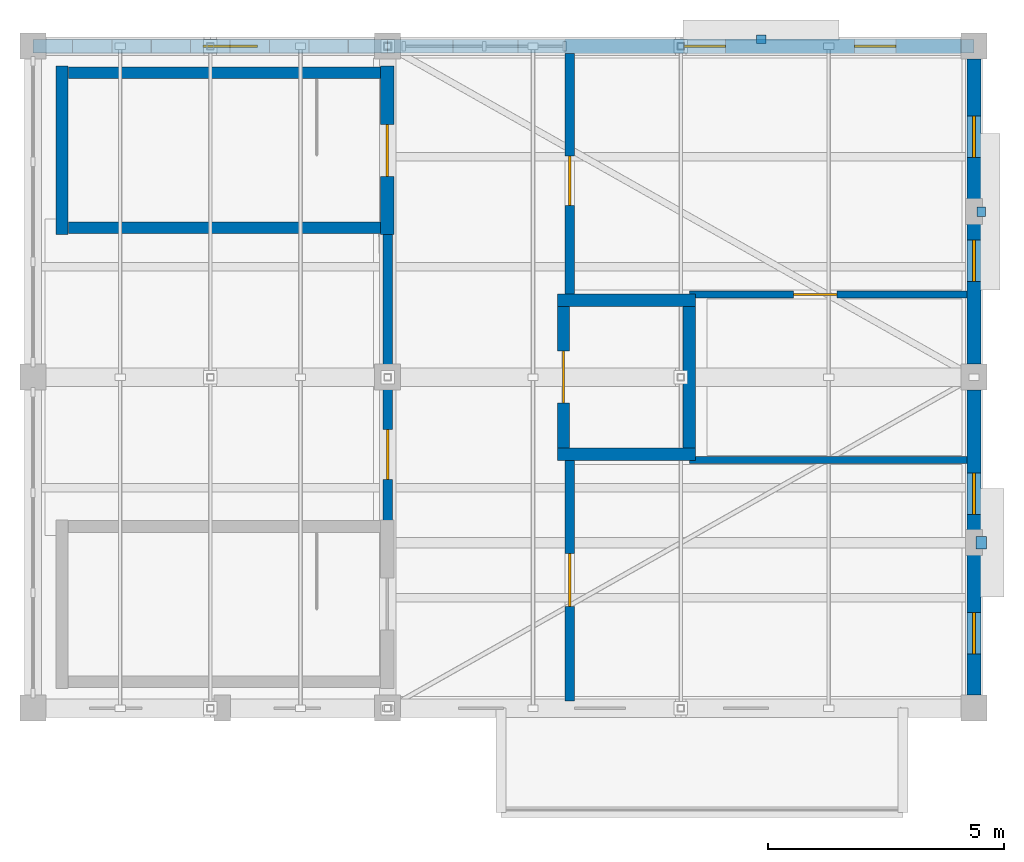
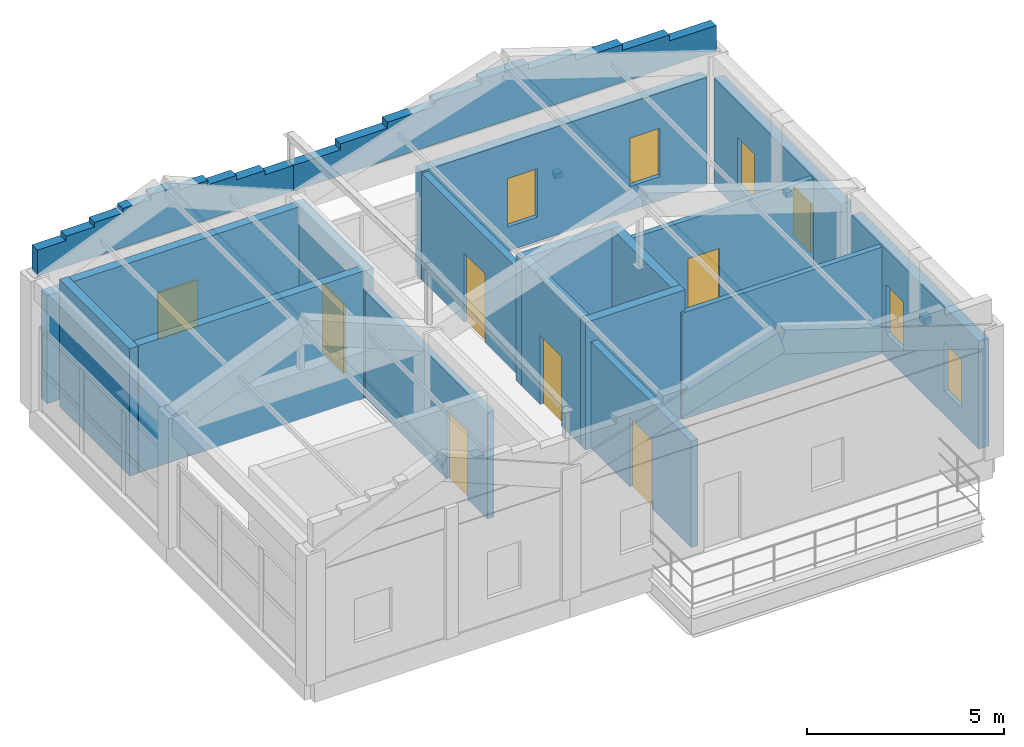
# One storey, part 7 of 8: 19 walls, 7 windows, 6 doors, 3 discrete accessories, 13 openings.
"""IFC4 building model written with IfcOpenShell, lengths in metres."""

from ifc_helpers import new_model, si_unit, direction, frame, frame_2d, origin, origin_2d, place, context, subcontext, project, spatial, polyline, rectangle, outline, extrude, material, layer, layer_set, type_object, element, fill, save


model = new_model("IFC4")

# Units and contexts
model_context = context("Model", 3, precision=1e-05, world=origin(), true_north=direction((0.0, 1.0)))
body_context = subcontext(model_context, "Body", "Model", "MODEL_VIEW")
ifc_project = project(units=[si_unit("LENGTHUNIT", "METRE"), si_unit("AREAUNIT", "SQUARE_METRE"), si_unit("VOLUMEUNIT", "CUBIC_METRE"), si_unit("PLANEANGLEUNIT", "RADIAN"), si_unit("MASSUNIT", "GRAM", prefix="KILO")], contexts=[model_context])

# Site, building, storey
site_placement = place(None, origin())
site = spatial("IfcSite", under=ifc_project, at=site_placement, CompositionType="ELEMENT")
building_placement = place(site_placement, origin())
building = spatial("IfcBuilding", under=site, at=building_placement, Name="Trellovar Central Fire Station", CompositionType="ELEMENT")
storey_placement = place(building_placement, frame((0.0, 0.0, 22.050048828125)))
storey = spatial("IfcBuildingStorey", under=building, at=storey_placement, Name="L06", CompositionType="ELEMENT", Elevation=22.050048828125)

# Wall, openings, windows
ifc_material_1 = material(Name="Glazed ceramic trencadis and terracotta panel", Category="masonry")
ifc_layer_1 = layer(ifc_material_1, 0.300048828125)
ifc_layer_set_1 = layer_set([ifc_layer_1], Name="Glazed ceramic trencadis and terracotta panel")
wall_type_1 = type_object("IfcWallType", Name="EW-4", PredefinedType="STANDARD", material=ifc_layer_set_1)
wall_1_placement = place(storey_placement, frame((160.72509765625, 73.0, 0.0), z_axis=(0.0, 0.0, 1.0), x_axis=(-1.0, 0.0, 0.0)))
wall_1 = element("IfcWall", 1, at=wall_1_placement, inside=storey, type_object=wall_type_1, Name="V2 L06 north hose shaft wall", PredefinedType="STANDARD", context=body_context, shape_type="SweptSolid", body=[
    extrude(rectangle(XDim=8.375, YDim=0.300048828125, at=frame_2d((4.1875, 0.0))), origin(), (0.0, 0.0, 1.0), 3.349853515625),
])
opening_1_placement = place(wall_1_placement, frame((1.375, 0.0, 0.75)))
opening_1 = element("IfcOpeningElement", 2, at=opening_1_placement, cuts=wall_1, Name="Opening W-07", PredefinedType="OPENING", context=body_context, shape_type="SweptSolid", body=[
    extrude(rectangle(XDim=0.8798828125, YDim=1.5, at=frame_2d((0.43994140625, 0.75))), frame((0.0, 0.159912109375, 0.0), z_axis=(0.0, -1.0, 0.0), x_axis=(1.0, 0.0, 0.0)), (0.0, 0.0, 1.0), 0.320068359375),
])
opening_2_placement = place(wall_1_placement, frame((4.97509765625, 0.0, 0.75)))
opening_2 = element("IfcOpeningElement", 3, at=opening_2_placement, cuts=wall_1, Name="Opening W-07", PredefinedType="OPENING", context=body_context, shape_type="SweptSolid", body=[
    extrude(rectangle(XDim=0.8798828125, YDim=1.5, at=frame_2d((0.43994140625, 0.75))), frame((0.0, 0.159912109375, 0.0), z_axis=(0.0, -1.0, 0.0), x_axis=(1.0, 0.0, 0.0)), (0.0, 0.0, 1.0), 0.320068359375),
])
ifc_material_2 = material(Name="Thermally broken bronze anodized aluminum", Category="aluminium")
window_type_1 = type_object("IfcWindowType", Name="WIN-07", PartitioningType="SINGLE_PANEL", PredefinedType="WINDOW", material=ifc_material_2)
window_1_placement = place(opening_1_placement, origin())
window_1 = element("IfcWindow", 4, at=window_1_placement, inside=storey, type_object=window_type_1, Name="V2 L06 hose drying ventilation lancet A", OverallHeight=1.5, OverallWidth=0.8798828125, PartitioningType="SINGLE_PANEL", PredefinedType="WINDOW", context=body_context, shape_type="SweptSolid", body=[
    extrude(rectangle(XDim=0.8798828125, YDim=1.5, at=frame_2d((0.43994140625, 0.75))), frame((0.0, 0.030029296875, 0.0), z_axis=(0.0, -1.0, 0.0), x_axis=(1.0, 0.0, 0.0)), (0.0, 0.0, 1.0), 0.06005859375),
])
fill(opening_1, window_1)
window_2_placement = place(opening_2_placement, origin())
window_2 = element("IfcWindow", 5, at=window_2_placement, inside=storey, type_object=window_type_1, Name="V2 L06 hose drying ventilation lancet B", OverallHeight=1.5, OverallWidth=0.8798828125, PartitioningType="SINGLE_PANEL", PredefinedType="WINDOW", context=body_context, shape_type="SweptSolid", body=[
    extrude(rectangle(XDim=0.8798828125, YDim=1.5, at=frame_2d((0.43994140625, 0.75))), frame((0.0, 0.030029296875, 0.0), z_axis=(0.0, -1.0, 0.0), x_axis=(1.0, 0.0, 0.0)), (0.0, 0.0, 1.0), 0.06005859375),
])
fill(opening_2, window_2)

# Wall, opening, window
wall_2_placement = place(storey_placement, frame((148.324951171875, 73.0, 0.0), z_axis=(0.0, 0.0, 1.0), x_axis=(-1.0, 0.0, 0.0)))
wall_2 = element("IfcWall", 6, at=wall_2_placement, inside=storey, type_object=wall_type_1, Name="V2 L06 north stair bay wall", PredefinedType="STANDARD", context=body_context, shape_type="SweptSolid", body=[
    extrude(rectangle(XDim=6.949951171875, YDim=0.300048828125, at=frame_2d((3.47509765625, 0.0))), origin(), (0.0, 0.0, 1.0), 3.349853515625),
])
opening_3_placement = place(wall_2_placement, frame((2.47509765625, 0.0, 0.75)))
opening_3 = element("IfcOpeningElement", 7, at=opening_3_placement, cuts=wall_2, Name="Opening W-01", PredefinedType="OPENING", context=body_context, shape_type="SweptSolid", body=[
    extrude(rectangle(XDim=1.14990234375, YDim=1.449951171875, at=frame_2d((0.574951171875, 0.72509765625))), frame((0.0, 0.159912109375, 0.0), z_axis=(0.0, -1.0, 0.0), x_axis=(1.0, 0.0, 0.0)), (0.0, 0.0, 1.0), 0.320068359375),
])
ifc_material_3 = material(Name="Thermally broken bronze anodized aluminum", Category="aluminium")
window_type_2 = type_object("IfcWindowType", Name="WIN-01", PartitioningType="SINGLE_PANEL", PredefinedType="WINDOW", material=ifc_material_3)
window_3_placement = place(opening_3_placement, origin())
window_3 = element("IfcWindow", 8, at=window_3_placement, inside=storey, type_object=window_type_2, Name="L06 window W-01", OverallHeight=1.449951171875, OverallWidth=1.14990234375, PartitioningType="SINGLE_PANEL", PredefinedType="WINDOW", context=body_context, shape_type="SweptSolid", body=[
    extrude(rectangle(XDim=1.14990234375, YDim=1.449951171875, at=frame_2d((0.574951171875, 0.72509765625))), frame((0.0, 0.030029296875, 0.0), z_axis=(0.0, -1.0, 0.0), x_axis=(1.0, 0.0, 0.0)), (0.0, 0.0, 1.0), 0.06005859375),
])
fill(opening_3, window_3)

# Wall, openings, windows
wall_3_placement = place(storey_placement, frame((161.0, 59.27490234375, 0.0), z_axis=(0.0, 0.0, 1.0), x_axis=(0.0, 1.0, 0.0)))
wall_3 = element("IfcWall", 9, at=wall_3_placement, inside=storey, type_object=wall_type_1, Name="V2 L06 east avenue wall", PredefinedType="STANDARD", context=body_context, shape_type="SweptSolid", body=[
    extrude(rectangle(XDim=6.4501953125, YDim=0.300048828125, at=frame_2d((3.22509765625, 0.0))), origin(), (0.0, 0.0, 1.0), 3.349853515625),
])
opening_4_placement = place(wall_3_placement, frame((0.875, 0.0, 0.75)))
opening_4 = element("IfcOpeningElement", 10, at=opening_4_placement, cuts=wall_3, Name="Opening W-07", PredefinedType="OPENING", context=body_context, shape_type="SweptSolid", body=[
    extrude(rectangle(XDim=0.8798828125, YDim=1.5, at=frame_2d((0.43994140625, 0.75))), frame((0.0, 0.159912109375, 0.0), z_axis=(0.0, -1.0, 0.0), x_axis=(1.0, 0.0, 0.0)), (0.0, 0.0, 1.0), 0.320068359375),
])
opening_5_placement = place(wall_3_placement, frame((3.824951171875, 0.0, 0.75)))
opening_5 = element("IfcOpeningElement", 11, at=opening_5_placement, cuts=wall_3, Name="Opening W-07", PredefinedType="OPENING", context=body_context, shape_type="SweptSolid", body=[
    extrude(rectangle(XDim=0.8798828125, YDim=1.5, at=frame_2d((0.43994140625, 0.75))), frame((0.0, 0.159912109375, 0.0), z_axis=(0.0, -1.0, 0.0), x_axis=(1.0, 0.0, 0.0)), (0.0, 0.0, 1.0), 0.320068359375),
])
window_4_placement = place(opening_4_placement, origin())
window_4 = element("IfcWindow", 12, at=window_4_placement, inside=storey, type_object=window_type_1, Name="L06 window W-07", OverallHeight=1.5, OverallWidth=0.8798828125, PartitioningType="SINGLE_PANEL", PredefinedType="WINDOW", context=body_context, shape_type="SweptSolid", body=[
    extrude(rectangle(XDim=0.8798828125, YDim=1.5, at=frame_2d((0.43994140625, 0.75))), frame((0.0, 0.030029296875, 0.0), z_axis=(0.0, -1.0, 0.0), x_axis=(1.0, 0.0, 0.0)), (0.0, 0.0, 1.0), 0.06005859375),
])
fill(opening_4, window_4)
window_5_placement = place(opening_5_placement, origin())
window_5 = element("IfcWindow", 13, at=window_5_placement, inside=storey, type_object=window_type_1, Name="L06 window W-07", OverallHeight=1.5, OverallWidth=0.8798828125, PartitioningType="SINGLE_PANEL", PredefinedType="WINDOW", context=body_context, shape_type="SweptSolid", body=[
    extrude(rectangle(XDim=0.8798828125, YDim=1.5, at=frame_2d((0.43994140625, 0.75))), frame((0.0, 0.030029296875, 0.0), z_axis=(0.0, -1.0, 0.0), x_axis=(1.0, 0.0, 0.0)), (0.0, 0.0, 1.0), 0.06005859375),
])
fill(opening_5, window_5)

wall_4_placement = place(storey_placement, frame((161.0, 66.27490234375, 0.0), z_axis=(0.0, 0.0, 1.0), x_axis=(0.0, 1.0, 0.0)))
wall_4 = element("IfcWall", 14, at=wall_4_placement, inside=storey, type_object=wall_type_1, Name="V2 L06 east avenue wall", PredefinedType="STANDARD", context=body_context, shape_type="SweptSolid", body=[
    extrude(rectangle(XDim=6.4501953125, YDim=0.300048828125, at=frame_2d((3.22509765625, 0.0))), origin(), (0.0, 0.0, 1.0), 3.349853515625),
])
opening_6_placement = place(wall_4_placement, frame((1.7451171875, 0.0, 0.75)))
opening_6 = element("IfcOpeningElement", 15, at=opening_6_placement, cuts=wall_4, Name="Opening W-07", PredefinedType="OPENING", context=body_context, shape_type="SweptSolid", body=[
    extrude(rectangle(XDim=0.8798828125, YDim=1.5, at=frame_2d((0.43994140625, 0.75))), frame((0.0, 0.159912109375, 0.0), z_axis=(0.0, -1.0, 0.0), x_axis=(1.0, 0.0, 0.0)), (0.0, 0.0, 1.0), 0.320068359375),
])
opening_7_placement = place(wall_4_placement, frame((4.375, 0.0, 0.75)))
opening_7 = element("IfcOpeningElement", 16, at=opening_7_placement, cuts=wall_4, Name="Opening W-07", PredefinedType="OPENING", context=body_context, shape_type="SweptSolid", body=[
    extrude(rectangle(XDim=0.8798828125, YDim=1.5, at=frame_2d((0.43994140625, 0.75))), frame((0.0, 0.159912109375, 0.0), z_axis=(0.0, -1.0, 0.0), x_axis=(1.0, 0.0, 0.0)), (0.0, 0.0, 1.0), 0.320068359375),
])
window_6_placement = place(opening_6_placement, origin())
window_6 = element("IfcWindow", 17, at=window_6_placement, inside=storey, type_object=window_type_1, Name="L06 window W-07", OverallHeight=1.5, OverallWidth=0.8798828125, PartitioningType="SINGLE_PANEL", PredefinedType="WINDOW", context=body_context, shape_type="SweptSolid", body=[
    extrude(rectangle(XDim=0.8798828125, YDim=1.5, at=frame_2d((0.43994140625, 0.75))), frame((0.0, 0.030029296875, 0.0), z_axis=(0.0, -1.0, 0.0), x_axis=(1.0, 0.0, 0.0)), (0.0, 0.0, 1.0), 0.06005859375),
])
fill(opening_6, window_6)
window_7_placement = place(opening_7_placement, origin())
window_7 = element("IfcWindow", 18, at=window_7_placement, inside=storey, type_object=window_type_1, Name="L06 window W-07", OverallHeight=1.5, OverallWidth=0.8798828125, PartitioningType="SINGLE_PANEL", PredefinedType="WINDOW", context=body_context, shape_type="SweptSolid", body=[
    extrude(rectangle(XDim=0.8798828125, YDim=1.5, at=frame_2d((0.43994140625, 0.75))), frame((0.0, 0.030029296875, 0.0), z_axis=(0.0, -1.0, 0.0), x_axis=(1.0, 0.0, 0.0)), (0.0, 0.0, 1.0), 0.06005859375),
])
fill(opening_7, window_7)

# Walls
ifc_material_4 = material(Name="Catalan polychrome brickwork with insulated cavity", Category="masonry")
ifc_layer_2 = layer(ifc_material_4, 0.280029296875)
ifc_layer_set_2 = layer_set([ifc_layer_2], Name="Catalan polychrome brickwork with insulated cavity")
wall_type_2 = type_object("IfcWallType", Name="PAR-1", PredefinedType="PARAPET", material=ifc_layer_set_2)
wall_5_placement = place(storey_placement, frame((141.10009765625, 73.0, 4.050048828125), z_axis=(0.0, 0.0, 1.0), x_axis=(1.0, 0.0, 0.0)))
element("IfcWall", 19, at=wall_5_placement, inside=storey, type_object=wall_type_2, Name="L06 Catalan stepped parapet", PredefinedType="PARAPET", context=body_context, shape_type="SweptSolid", body=[
    extrude(outline(polyline([(0.0, 0.0), (7.5, 0.0), (7.5, 0.7998046875), (6.667724609375, 0.7998046875), (6.666748046875, 0.9375), (5.834228515625, 0.9375), (5.833251953125, 1.074951171875), (5.0009765625, 1.074951171875), (5.0, 1.21240234375), (4.167724609375, 1.21240234375), (4.166748046875, 1.349853515625), (3.334228515625, 1.349853515625), (3.333251953125, 1.21240234375), (2.5009765625, 1.21240234375), (2.5, 1.074951171875), (1.667724609375, 1.074951171875), (1.666748046875, 0.9375), (0.834228515625, 0.9375), (0.833251953125, 0.7998046875), (0.0, 0.7998046875), (0.0, 0.0)])), frame((0.0, 0.14013671875, 0.0), z_axis=(0.0, -1.0, 0.0), x_axis=(1.0, 0.0, 0.0)), (0.0, 0.0, 1.0), 0.280029296875),
])
wall_6_placement = place(storey_placement, frame((148.60009765625, 73.0, 4.050048828125), z_axis=(0.0, 0.0, 1.0), x_axis=(1.0, 0.0, 0.0)))
element("IfcWall", 20, at=wall_6_placement, inside=storey, type_object=wall_type_2, Name="L06 Catalan stepped parapet", PredefinedType="PARAPET", context=body_context, shape_type="SweptSolid", body=[
    extrude(outline(polyline([(0.0, 0.0), (12.39990234375, 0.0), (12.39990234375, 0.7998046875), (11.023193359375, 0.7998046875), (11.022216796875, 0.9873046875), (9.6455078125, 0.9873046875), (9.644287109375, 1.1748046875), (8.267578125, 1.1748046875), (8.2666015625, 1.3623046875), (6.889892578125, 1.3623046875), (6.888916015625, 1.5498046875), (5.51220703125, 1.5498046875), (5.510986328125, 1.3623046875), (4.13427734375, 1.3623046875), (4.13330078125, 1.1748046875), (2.756591796875, 1.1748046875), (2.755615234375, 0.9873046875), (1.37890625, 0.9873046875), (1.377685546875, 0.7998046875), (0.0, 0.7998046875), (0.0, 0.0)])), frame((0.0, 0.14013671875, 0.0), z_axis=(0.0, -1.0, 0.0), x_axis=(1.0, 0.0, 0.0)), (0.0, 0.0, 1.0), 0.280029296875),
])

# Wall, opening, door
ifc_material_5 = material(Name="Acoustic concrete masonry unit", Category="masonry")
ifc_layer_3 = layer(ifc_material_5, 0.199951171875)
ifc_layer_set_3 = layer_set([ifc_layer_3], Name="Acoustic concrete masonry unit")
wall_type_3 = type_object("IfcWallType", Name="PT-1", PredefinedType="PARTITIONING", material=ifc_layer_set_3)
wall_7_placement = place(storey_placement, frame((148.60009765625, 62.840087890625, 0.0), z_axis=(0.0, 0.0, 1.0), x_axis=(0.0, 1.0, 0.0)))
wall_7 = element("IfcWall", 21, at=wall_7_placement, inside=storey, type_object=wall_type_3, Name="V2 L06 west lab corridor wall", PredefinedType="PARTITIONING", context=body_context, shape_type="SweptSolid", body=[
    extrude(rectangle(XDim=6.31982421875, YDim=0.199951171875, at=frame_2d((3.159912109375, 0.0))), origin(), (0.0, 0.0, 1.0), 3.300048828125),
])
opening_8_placement = place(wall_7_placement, frame((1.0, 0.0, 0.0)))
opening_8 = element("IfcOpeningElement", 22, at=opening_8_placement, cuts=wall_7, Name="Opening ID-5", PredefinedType="OPENING", context=body_context, shape_type="SweptSolid", body=[
    extrude(rectangle(XDim=1.050048828125, YDim=2.139892578125, at=frame_2d((0.52490234375, 1.06982421875))), frame((0.0, 0.10986328125, 0.0), z_axis=(0.0, -1.0, 0.0), x_axis=(1.0, 0.0, 0.0)), (0.0, 0.0, 1.0), 0.219970703125),
])
ifc_material_6 = material(Name="Hollow galvanized steel with acoustic core", Category="steel")
door_type_1 = type_object("IfcDoorType", Name="DR-INT5", OperationType="SINGLE_SWING_LEFT", PredefinedType="DOOR", material=ifc_material_6)
door_1_placement = place(opening_8_placement, origin())
door_1 = element("IfcDoor", 23, at=door_1_placement, inside=storey, type_object=door_type_1, Name="V2 L06 west training lab door", OperationType="SINGLE_SWING_LEFT", OverallHeight=2.139892578125, OverallWidth=1.050048828125, PredefinedType="DOOR", context=body_context, shape_type="SweptSolid", body=[
    extrude(rectangle(XDim=1.050048828125, YDim=2.139892578125, at=frame_2d((0.52490234375, 1.06982421875))), frame((0.0, 0.02490234375, 0.0), z_axis=(0.0, -1.0, 0.0), x_axis=(1.0, 0.0, 0.0)), (0.0, 0.0, 1.0), 0.050048828125),
])
fill(opening_8, door_1)

wall_8_placement = place(storey_placement, frame((152.449951171875, 59.14990234375, 0.0), z_axis=(0.0, 0.0, 1.0), x_axis=(0.0, 1.0, 0.0)))
wall_8 = element("IfcWall", 24, at=wall_8_placement, inside=storey, type_object=wall_type_3, Name="V2 L06 south deck corridor wall", PredefinedType="PARTITIONING", context=body_context, shape_type="SweptSolid", body=[
    extrude(rectangle(XDim=5.22021484375, YDim=0.199951171875, at=frame_2d((2.610107421875, 0.0))), origin(), (0.0, 0.0, 1.0), 3.300048828125),
])
opening_9_placement = place(wall_8_placement, frame((2.0, 0.0, 0.0)))
opening_9 = element("IfcOpeningElement", 25, at=opening_9_placement, cuts=wall_8, Name="Opening ID-12", PredefinedType="OPENING", context=body_context, shape_type="SweptSolid", body=[
    extrude(rectangle(XDim=1.1201171875, YDim=2.14990234375, at=frame_2d((0.56005859375, 1.074951171875))), frame((0.0, 0.10986328125, 0.0), z_axis=(0.0, -1.0, 0.0), x_axis=(1.0, 0.0, 0.0)), (0.0, 0.0, 1.0), 0.219970703125),
])
ifc_material_7 = material(Name="Hollow galvanized steel with acoustic core", Category="steel")
door_type_2 = type_object("IfcDoorType", Name="DR-INT12", OperationType="SINGLE_SWING_LEFT", PredefinedType="DOOR", material=ifc_material_7)
door_2_placement = place(opening_9_placement, origin())
door_2 = element("IfcDoor", 26, at=door_2_placement, inside=storey, type_object=door_type_2, Name="V2 L06 south training deck door", OperationType="SINGLE_SWING_RIGHT", OverallHeight=2.14990234375, OverallWidth=1.1201171875, PredefinedType="DOOR", context=body_context, shape_type="SweptSolid", body=[
    extrude(rectangle(XDim=1.1201171875, YDim=2.14990234375, at=frame_2d((0.56005859375, 1.074951171875))), frame((0.0, 0.02490234375, 0.0), z_axis=(0.0, -1.0, 0.0), x_axis=(1.0, 0.0, 0.0)), (0.0, 0.0, 1.0), 0.050048828125),
])
fill(opening_9, door_2)

wall_9_placement = place(storey_placement, frame((152.449951171875, 67.6298828125, 0.0), z_axis=(0.0, 0.0, 1.0), x_axis=(0.0, 1.0, 0.0)))
wall_9 = element("IfcWall", 27, at=wall_9_placement, inside=storey, type_object=wall_type_3, Name="V2 L06 north hose gallery wall", PredefinedType="PARTITIONING", context=body_context, shape_type="SweptSolid", body=[
    extrude(rectangle(XDim=5.22021484375, YDim=0.199951171875, at=frame_2d((2.610107421875, 0.0))), origin(), (0.0, 0.0, 1.0), 3.300048828125),
])
opening_10_placement = place(wall_9_placement, frame((2.0, 0.0, 0.0)))
opening_10 = element("IfcOpeningElement", 28, at=opening_10_placement, cuts=wall_9, Name="Opening ID-5", PredefinedType="OPENING", context=body_context, shape_type="SweptSolid", body=[
    extrude(rectangle(XDim=1.050048828125, YDim=2.139892578125, at=frame_2d((0.52490234375, 1.06982421875))), frame((0.0, 0.10986328125, 0.0), z_axis=(0.0, -1.0, 0.0), x_axis=(1.0, 0.0, 0.0)), (0.0, 0.0, 1.0), 0.219970703125),
])
door_3_placement = place(opening_10_placement, origin())
door_3 = element("IfcDoor", 29, at=door_3_placement, inside=storey, type_object=door_type_1, Name="V2 L06 north hose gallery door", OperationType="SINGLE_SWING_LEFT", OverallHeight=2.139892578125, OverallWidth=1.050048828125, PredefinedType="DOOR", context=body_context, shape_type="SweptSolid", body=[
    extrude(rectangle(XDim=1.050048828125, YDim=2.139892578125, at=frame_2d((0.52490234375, 1.06982421875))), frame((0.0, 0.02490234375, 0.0), z_axis=(0.0, -1.0, 0.0), x_axis=(1.0, 0.0, 0.0)), (0.0, 0.0, 1.0), 0.050048828125),
])
fill(opening_10, door_3)

# Wall
ifc_material_8 = material(Name="Fire-rated acoustic gypsum stud partition", Category="gypsum")
ifc_layer_4 = layer(ifc_material_8, 0.14990234375)
ifc_layer_set_4 = layer_set([ifc_layer_4], Name="Fire-rated acoustic gypsum stud partition")
wall_type_4 = type_object("IfcWallType", Name="PT-6", PredefinedType="PARTITIONING", material=ifc_layer_set_4)
wall_10_placement = place(storey_placement, frame((154.97998046875, 64.25, 0.0), z_axis=(0.0, 0.0, 1.0), x_axis=(1.0, 0.0, 0.0)))
element("IfcWall", 30, at=wall_10_placement, inside=storey, type_object=wall_type_4, Name="V2 L06 restroom south wall", PredefinedType="PARTITIONING", context=body_context, shape_type="SweptSolid", body=[
    extrude(rectangle(XDim=5.8701171875, YDim=0.14990234375, at=frame_2d((2.93505859375, 0.0))), origin(), (0.0, 0.0, 1.0), 3.300048828125),
])

# Wall, opening, door
wall_11_placement = place(storey_placement, frame((154.97998046875, 67.75, 0.0), z_axis=(0.0, 0.0, 1.0), x_axis=(1.0, 0.0, 0.0)))
wall_11 = element("IfcWall", 31, at=wall_11_placement, inside=storey, type_object=wall_type_4, Name="V2 L06 restroom north wall", PredefinedType="PARTITIONING", context=body_context, shape_type="SweptSolid", body=[
    extrude(rectangle(XDim=5.8701171875, YDim=0.14990234375, at=frame_2d((2.93505859375, 0.0))), origin(), (0.0, 0.0, 1.0), 3.300048828125),
])
opening_11_placement = place(wall_11_placement, frame((2.199951171875, 0.0, 0.0)))
opening_11 = element("IfcOpeningElement", 32, at=opening_11_placement, cuts=wall_11, Name="Opening ID-6", PredefinedType="OPENING", context=body_context, shape_type="SweptSolid", body=[
    extrude(rectangle(XDim=0.919921875, YDim=2.10009765625, at=frame_2d((0.4599609375, 1.050048828125))), frame((0.0, 0.0849609375, 0.0), z_axis=(0.0, -1.0, 0.0), x_axis=(1.0, 0.0, 0.0)), (0.0, 0.0, 1.0), 0.169921875),
])
ifc_material_9 = material(Name="Solid core acoustic white oak veneer", Category="wood")
door_type_3 = type_object("IfcDoorType", Name="DR-INT6", OperationType="SINGLE_SWING_LEFT", PredefinedType="DOOR", material=ifc_material_9)
door_4_placement = place(opening_11_placement, origin())
door_4 = element("IfcDoor", 33, at=door_4_placement, inside=storey, type_object=door_type_3, Name="V2 L06 restroom door", OperationType="SINGLE_SWING_RIGHT", OverallHeight=2.10009765625, OverallWidth=0.919921875, PredefinedType="DOOR", context=body_context, shape_type="SweptSolid", body=[
    extrude(rectangle(XDim=0.919921875, YDim=2.10009765625, at=frame_2d((0.4599609375, 1.050048828125))), frame((0.0, 0.02490234375, 0.0), z_axis=(0.0, -1.0, 0.0), x_axis=(1.0, 0.0, 0.0)), (0.0, 0.0, 1.0), 0.050048828125),
])
fill(opening_11, door_4)

ifc_material_10 = material(Name="Concrete C40/50", Category="concrete")
ifc_layer_5 = layer(ifc_material_10, 0.280029296875)
ifc_layer_set_5 = layer_set([ifc_layer_5], Name="Concrete C40/50")
wall_type_5 = type_object("IfcWallType", Name="SW-1", PredefinedType="SHEAR", material=ifc_layer_set_5)
wall_12_placement = place(storey_placement, frame((148.590087890625, 72.580078125, 0.0), z_axis=(0.0, 0.0, 1.0), x_axis=(0.0, -1.0, 0.0)))
wall_12 = element("IfcWall", 34, at=wall_12_placement, inside=storey, type_object=wall_type_5, Name="Stair ST-06 L06 front corridor wall", PredefinedType="SHEAR", context=body_context, shape_type="SweptSolid", body=[
    extrude(rectangle(XDim=3.56005859375, YDim=0.280029296875, at=frame_2d((1.780029296875, 0.0))), origin(), (0.0, 0.0, 1.0), 3.949951171875),
])
opening_12_placement = place(wall_12_placement, frame((1.22998046875, 0.0, 0.0)))
opening_12 = element("IfcOpeningElement", 35, at=opening_12_placement, cuts=wall_12, Name="Opening SD-2", PredefinedType="OPENING", context=body_context, shape_type="SweptSolid", body=[
    extrude(rectangle(XDim=1.10009765625, YDim=2.14990234375, at=frame_2d((0.550048828125, 1.074951171875))), frame((0.0, 0.14990234375, 0.0), z_axis=(0.0, -1.0, 0.0), x_axis=(1.0, 0.0, 0.0)), (0.0, 0.0, 1.0), 0.300048828125),
])
ifc_material_11 = material(Name="Hollow galvanized steel with acoustic core", Category="steel")
door_type_4 = type_object("IfcDoorType", Name="DR-STR2", OperationType="SINGLE_SWING_LEFT", PredefinedType="DOOR", material=ifc_material_11)
door_5_placement = place(opening_12_placement, origin())
door_5 = element("IfcDoor", 36, at=door_5_placement, inside=storey, type_object=door_type_4, Name="Stair ST-06 L06 fire door", OperationType="SINGLE_SWING_RIGHT", OverallHeight=2.14990234375, OverallWidth=1.10009765625, PredefinedType="DOOR", context=body_context, shape_type="SweptSolid", body=[
    extrude(rectangle(XDim=1.10009765625, YDim=2.14990234375, at=frame_2d((0.550048828125, 1.074951171875))), frame((0.0, 0.02490234375, 0.0), z_axis=(0.0, -1.0, 0.0), x_axis=(1.0, 0.0, 0.0)), (0.0, 0.0, 1.0), 0.050048828125),
])
fill(opening_12, door_5)

# Walls
ifc_material_12 = material(Name="Concrete C40/50", Category="concrete")
ifc_layer_6 = layer(ifc_material_12, 0.25)
ifc_layer_set_6 = layer_set([ifc_layer_6], Name="Concrete C40/50")
wall_type_6 = type_object("IfcWallType", Name="SW-2", PredefinedType="SHEAR", material=ifc_layer_set_6)
wall_13_placement = place(storey_placement, frame((141.7099609375, 69.02001953125, 0.0), z_axis=(0.0, 0.0, 1.0), x_axis=(0.0, 1.0, 0.0)))
element("IfcWall", 37, at=wall_13_placement, inside=storey, type_object=wall_type_6, Name="Stair ST-06 L06 rear wall", PredefinedType="SHEAR", context=body_context, shape_type="SweptSolid", body=[
    extrude(rectangle(XDim=3.56005859375, YDim=0.25, at=frame_2d((1.780029296875, 0.0))), origin(), (0.0, 0.0, 1.0), 3.949951171875),
])
for number, where, z_axis, x_axis, name in (
    (38, (148.449951171875, 72.43994140625, 0.0), (0.0, 0.0, 1.0), (-1.0, 0.0, 0.0), "Stair ST-06 L06 left wall"),
    (39, (141.85009765625, 69.159912109375, 0.0), (0.0, 0.0, 1.0), (1.0, 0.0, 0.0), "Stair ST-06 L06 right wall"),
):
    element("IfcWall", number, at=place(storey_placement, frame(where, z_axis=z_axis, x_axis=x_axis)), inside=storey, type_object=wall_type_6, Name=name, PredefinedType="SHEAR", context=body_context, shape_type="SweptSolid", body=[
        extrude(rectangle(XDim=6.599853515625, YDim=0.25, at=frame_2d((3.2998046875, 0.0))), origin(), (0.0, 0.0, 1.0), 3.949951171875),
    ])
ifc_material_13 = material(Name="Concrete C40/50", Category="concrete")
ifc_layer_7 = layer(ifc_material_13, 0.260009765625)
ifc_layer_set_7 = layer_set([ifc_layer_7], Name="Concrete C40/50")
wall_type_7 = type_object("IfcWallType", Name="SW-4", PredefinedType="SHEAR", material=ifc_layer_set_7)
for number, where, z_axis, x_axis, name in (
    (40, (152.18994140625, 64.3701171875, 0.0), (0.0, 0.0, 1.0), (1.0, 0.0, 0.0), "Lift EL-04 L06 S wall"),
    (41, (155.110107421875, 67.6298828125, 0.0), (0.0, 0.0, 1.0), (-1.0, 0.0, 0.0), "Lift EL-04 L06 N wall"),
):
    element("IfcWall", number, at=place(storey_placement, frame(where, z_axis=z_axis, x_axis=x_axis)), inside=storey, type_object=wall_type_7, Name=name, PredefinedType="SHEAR", context=body_context, shape_type="SweptSolid", body=[
        extrude(rectangle(XDim=2.920166015625, YDim=0.260009765625, at=frame_2d((1.4599609375, 0.0))), origin(), (0.0, 0.0, 1.0), 3.949951171875),
    ])

# Wall, opening, door
wall_14_placement = place(storey_placement, frame((152.320068359375, 67.5, 0.0), z_axis=(0.0, 0.0, 1.0), x_axis=(0.0, -1.0, 0.0)))
wall_14 = element("IfcWall", 42, at=wall_14_placement, inside=storey, type_object=wall_type_7, Name="Lift EL-04 L06 W wall", PredefinedType="SHEAR", context=body_context, shape_type="SweptSolid", body=[
    extrude(rectangle(XDim=3.0, YDim=0.260009765625, at=frame_2d((1.5, 0.0))), origin(), (0.0, 0.0, 1.0), 3.949951171875),
])
opening_13_placement = place(wall_14_placement, frame((0.949951171875, 0.0, 0.0)))
opening_13 = element("IfcOpeningElement", 43, at=opening_13_placement, cuts=wall_14, Name="Opening LD-1", PredefinedType="OPENING", context=body_context, shape_type="SweptSolid", body=[
    extrude(rectangle(XDim=1.10009765625, YDim=2.14990234375, at=frame_2d((0.550048828125, 1.074951171875))), frame((0.0, 0.139892578125, 0.0), z_axis=(0.0, -1.0, 0.0), x_axis=(1.0, 0.0, 0.0)), (0.0, 0.0, 1.0), 0.280029296875),
])
ifc_material_14 = material(Name="Brushed stainless steel", Category="steel")
door_type_5 = type_object("IfcDoorType", Name="DR-LFT1", OperationType="SLIDING_TO_LEFT", PredefinedType="DOOR", material=ifc_material_14)
door_6_placement = place(opening_13_placement, origin())
door_6 = element("IfcDoor", 44, at=door_6_placement, inside=storey, type_object=door_type_5, Name="Elevator EL-04 L06 sliding landing door", OperationType="SLIDING_TO_LEFT", OverallHeight=2.14990234375, OverallWidth=1.10009765625, PredefinedType="DOOR", context=body_context, shape_type="SweptSolid", body=[
    extrude(rectangle(XDim=1.10009765625, YDim=2.14990234375, at=frame_2d((0.550048828125, 1.074951171875))), frame((0.0, 0.02490234375, 0.0), z_axis=(0.0, -1.0, 0.0), x_axis=(1.0, 0.0, 0.0)), (0.0, 0.0, 1.0), 0.050048828125),
])
fill(opening_13, door_6)

# Wall
wall_15_placement = place(storey_placement, frame((154.97998046875, 64.5, 0.0), z_axis=(0.0, 0.0, 1.0), x_axis=(0.0, 1.0, 0.0)))
element("IfcWall", 45, at=wall_15_placement, inside=storey, type_object=wall_type_7, Name="Lift EL-04 L06 E wall", PredefinedType="SHEAR", context=body_context, shape_type="SweptSolid", body=[
    extrude(rectangle(XDim=3.0, YDim=0.260009765625, at=frame_2d((1.5, 0.0))), origin(), (0.0, 0.0, 1.0), 3.949951171875),
])

# Discrete accessories
ifc_material_15 = material(Name="Patina bronze wrought metalwork", Category="metal")
discrete_accessory_type_1 = type_object("IfcDiscreteAccessoryType", Name="ACC-BRK1", PredefinedType="BRACKET", material=ifc_material_15)
discrete_accessory_placement = place(storey_placement, frame((161.14990234375, 62.5, 1.89990234375), z_axis=(0.0, 0.0, 1.0), x_axis=(0.0, 1.0, 0.0)))
element("IfcDiscreteAccessory", 46, at=discrete_accessory_placement, inside=storey, type_object=discrete_accessory_type_1, Name="L06 bronze shade mounting bracket 121", PredefinedType="BRACKET", context=body_context, shape_type="SweptSolid", body=[
    extrude(rectangle(XDim=0.260009765625, YDim=0.219970703125, at=origin_2d()), origin(), (0.0, 0.0, 1.0), 0.199951171875),
])
ifc_material_16 = material(Name="Patina bronze wrought metalwork", Category="metal")
discrete_accessory_type_2 = type_object("IfcDiscreteAccessoryType", Name="ACC-BRK2", PredefinedType="BRACKET", material=ifc_material_16)
for number, where, z_axis, x_axis, name in (
    (47, (156.5, 73.14990234375, 1.56982421875), (0.0, 0.0, 1.0), (1.0, 0.0, 0.0), "L06 bronze shade mounting bracket 120"),
    (48, (161.14990234375, 69.5, 1.56982421875), (0.0, 0.0, 1.0), (0.0, 1.0, 0.0), "L06 bronze shade mounting bracket 122"),
):
    element("IfcDiscreteAccessory", number, at=place(storey_placement, frame(where, z_axis=z_axis, x_axis=x_axis)), inside=storey, type_object=discrete_accessory_type_2, Name=name, PredefinedType="BRACKET", context=body_context, shape_type="SweptSolid", body=[
        extrude(rectangle(XDim=0.199951171875, YDim=0.179931640625, at=origin_2d()), origin(), (0.0, 0.0, 1.0), 0.159912109375),
    ])

save(model, "model.ifc")
